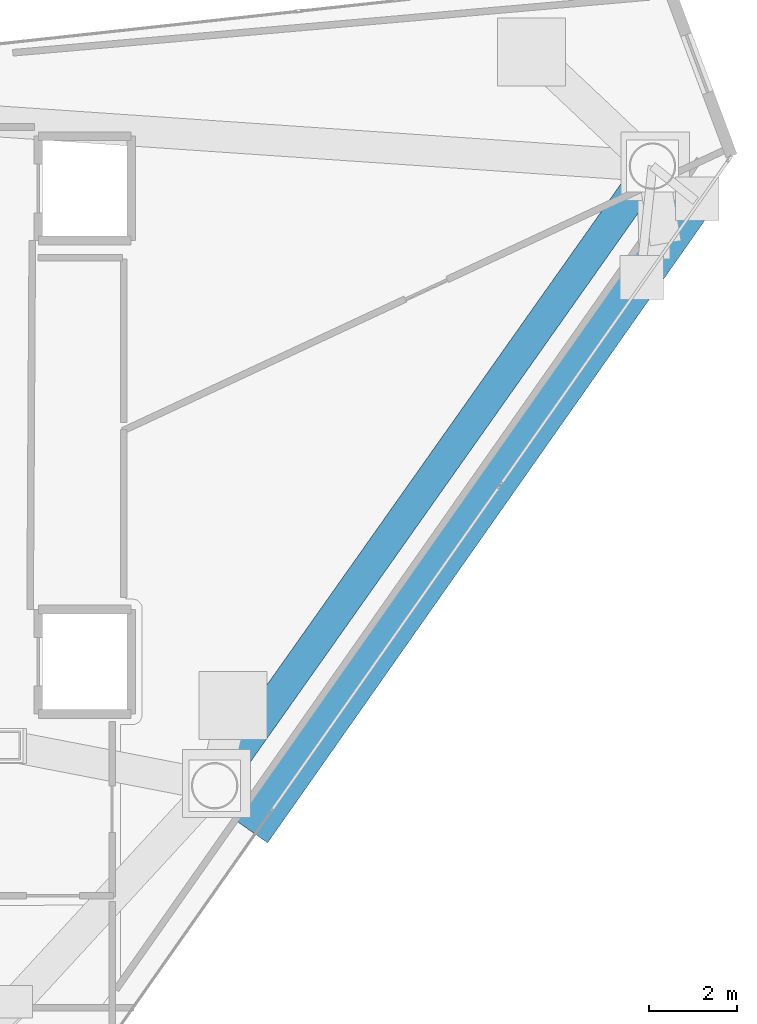
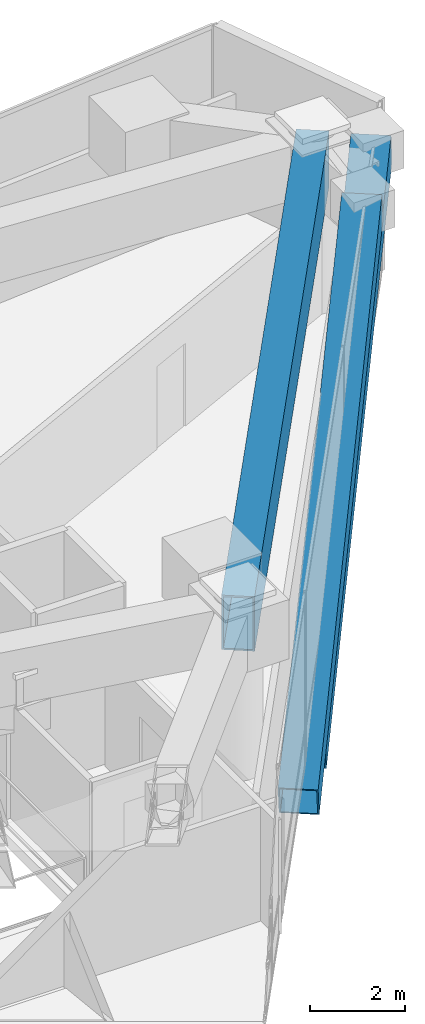
# One storey, part 15 of 21: 2 members, 1 beam.
"""IFC4 building model written with IfcOpenShell, lengths in metres."""

from ifc_helpers import new_model, si_unit, direction, frame, origin, origin_2d, place, context, subcontext, project, spatial, hollow_rectangle, extrude, material, material_profile, profile_set, type_object, element, save


model = new_model("IFC4")

# Units and contexts
model_context = context("Model", 3, precision=1e-05, world=origin(), true_north=direction((0.0, 1.0)))
body_context = subcontext(model_context, "Body", "Model", "MODEL_VIEW")
ifc_project = project(units=[si_unit("LENGTHUNIT", "METRE"), si_unit("AREAUNIT", "SQUARE_METRE"), si_unit("VOLUMEUNIT", "CUBIC_METRE"), si_unit("PLANEANGLEUNIT", "RADIAN"), si_unit("MASSUNIT", "GRAM", prefix="KILO")], contexts=[model_context])

# Site, building, storey
site_placement = place(None, origin())
site = spatial("IfcSite", under=ifc_project, at=site_placement, CompositionType="ELEMENT")
building_placement = place(site_placement, origin())
building = spatial("IfcBuilding", under=site, at=building_placement, Name="Qianvela Tower", CompositionType="ELEMENT")
storey_placement = place(building_placement, frame((0.0, 0.0, 276.0)))
storey = spatial("IfcBuildingStorey", under=building, at=storey_placement, Name="L71", CompositionType="ELEMENT", Elevation=276.0)

# Beam
ifc_material_1 = material(Name="Steel Q420GJC", Category="steel")
ifc_material_profile_1 = material_profile(ifc_material_1, hollow_rectangle(XDim=0.699951171875, YDim=1.39990234375, WallThickness=0.0400390625, at=origin_2d()), Name="TG-BOX-1400x700x40")
ifc_profile_set_1 = profile_set([ifc_material_profile_1], Name="Steel Q420GJC")
beam_type = type_object("IfcBeamType", Name="BM-TG-RAD-1400", PredefinedType="BEAM", material=ifc_profile_set_1)
beam_placement = place(storey_placement, frame((45.43603515625, 20.597900390625, 3.718017578125), z_axis=(0.577019604961, 0.816730295441, 0.0), x_axis=(-0.816730295441, 0.577019604961, 0.0)))
element("IfcBeam", 1, at=beam_placement, inside=storey, type_object=beam_type, Name="L71 Perimeter Belt-Truss Top Ring Girder 6", PredefinedType="BEAM", context=body_context, shape_type="SweptSolid", body=[
    extrude(hollow_rectangle(XDim=0.699951171875, YDim=1.39990234375, WallThickness=0.0400390625, at=origin_2d()), origin(), (0.0, 0.0, 1.0), 17.150146484375),
])

# Members
ifc_material_2 = material(Name="Steel Q420GJC", Category="steel")
ifc_material_profile_2 = material_profile(ifc_material_2, hollow_rectangle(XDim=0.85009765625, YDim=0.85009765625, WallThickness=0.031982421875, at=origin_2d()), Name="MBOX-850x850x32")
ifc_profile_set_2 = profile_set([ifc_material_profile_2], Name="Steel Q420GJC")
member_type = type_object("IfcMemberType", Name="MBR-MBRACE-850", PredefinedType="BRACE", material=ifc_profile_set_2)
member_1_placement = place(storey_placement, frame((46.357666015625, 19.654296875, -0.60205078125), z_axis=(0.548748037723, 0.781171291689, 0.297736467594), x_axis=(-0.81828193158, 0.57481708434, 0.0)))
element("IfcMember", 2, at=member_1_placement, inside=storey, type_object=member_type, Name="L71 Tier 12 Exterior Mega-Brace F3A", PredefinedType="BRACE", context=body_context, shape_type="SweptSolid", body=[
    extrude(hollow_rectangle(XDim=0.85009765625, YDim=0.85009765625, WallThickness=0.031982421875, at=origin_2d()), origin(), (0.0, 0.0, 1.0), 15.852783203125),
])
member_2_placement = place(storey_placement, frame((47.336181640625, 21.047607421875, -0.60205078125), z_axis=(0.550214068592, 0.783237101261, 0.289489415923), x_axis=(-0.818274626692, 0.574827483087, 0.0)))
element("IfcMember", 3, at=member_2_placement, inside=storey, type_object=member_type, Name="L71 Tier 12 Exterior Mega-Brace F3B", PredefinedType="BRACE", context=body_context, shape_type="SweptSolid", body=[
    extrude(hollow_rectangle(XDim=0.85009765625, YDim=0.85009765625, WallThickness=0.031982421875, at=origin_2d()), origin(), (0.0, 0.0, 1.0), 16.304443359375),
])

save(model, "model.ifc")
